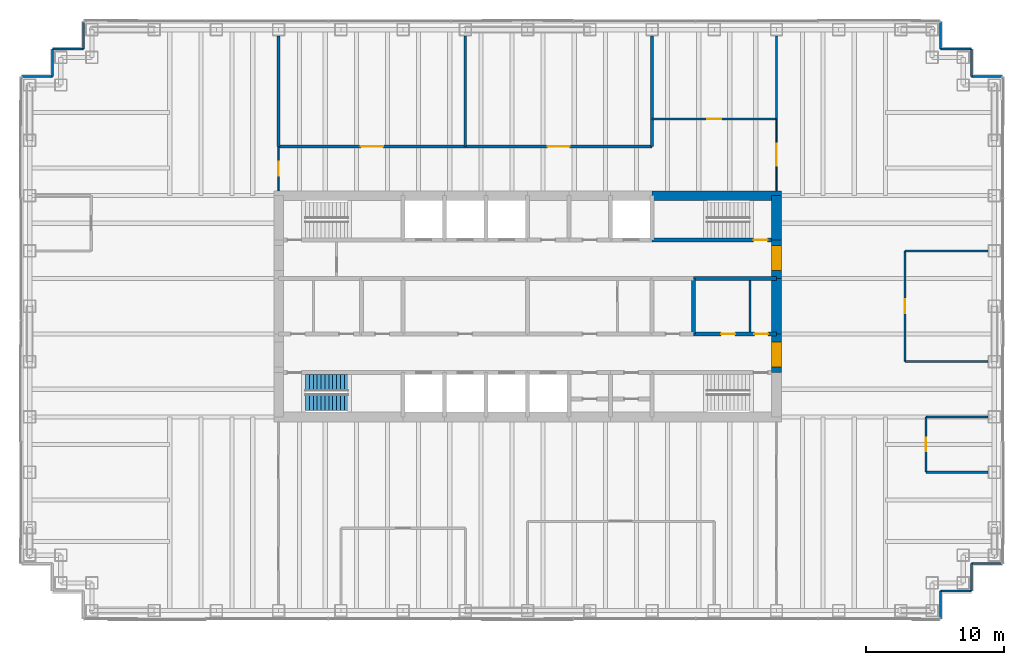
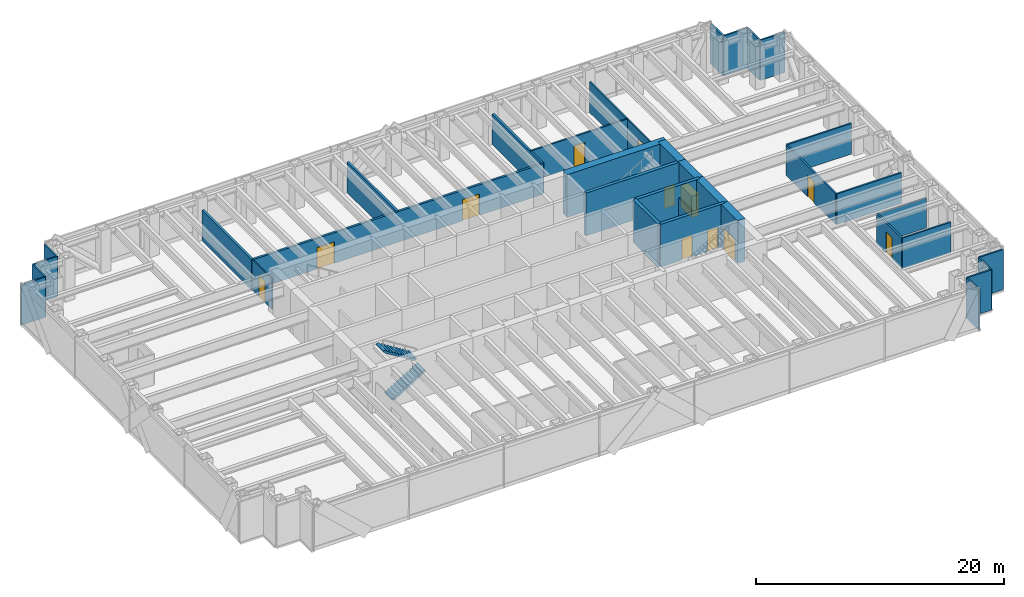
# One storey, part 13 of 15: 36 walls, 12 doors, 2 stair flights, 12 openings, 1 element without a shape of its own.
"""IFC4 building model written with IfcOpenShell, lengths in metres."""

from ifc_helpers import new_model, si_unit, direction, frame, frame_2d, origin, place, context, subcontext, project, spatial, polyline, rectangle, outline, extrude, material, layer, layer_set, type_object, element, fill, aggregate, save


model = new_model("IFC4")

# Units and contexts
model_context = context("Model", 3, precision=1e-05, world=origin(), true_north=direction((0.0, 1.0)))
body_context = subcontext(model_context, "Body", "Model", "MODEL_VIEW")
ifc_project = project(units=[si_unit("LENGTHUNIT", "METRE"), si_unit("AREAUNIT", "SQUARE_METRE"), si_unit("VOLUMEUNIT", "CUBIC_METRE"), si_unit("PLANEANGLEUNIT", "RADIAN"), si_unit("MASSUNIT", "GRAM", prefix="KILO")], contexts=[model_context])

# Site, building, storey
site_placement = place(None, origin())
site = spatial("IfcSite", under=ifc_project, at=site_placement, CompositionType="ELEMENT")
building_placement = place(site_placement, origin())
building = spatial("IfcBuilding", under=site, at=building_placement, Name="Rheinbord Bourse Tower", CompositionType="ELEMENT")
storey_placement = place(building_placement, frame((0.0, 0.0, 329.89990234375)))
storey = spatial("IfcBuildingStorey", under=building, at=storey_placement, Name="L75", CompositionType="ELEMENT", Elevation=329.89990234375)

# Wall, openings, doors
ifc_material_1 = material(Name="Acoustic gypsum board partition", Category="gypsum board")
ifc_layer_1 = layer(ifc_material_1, 0.199951171875)
ifc_layer_set_1 = layer_set([ifc_layer_1], Name="ACOUSTIC PARTITION 200")
wall_type_1 = type_object("IfcWallType", Name="ACOUSTIC PARTITION 200", PredefinedType="PARTITIONING", material=ifc_layer_set_1)
wall_1_placement = place(storey_placement, frame((18.0, 35.550048828125, 0.0), z_axis=(0.0, 0.0, 1.0), x_axis=(1.0, 0.0, 0.0)))
wall_1 = element("IfcWall", 1, at=wall_1_placement, inside=storey, type_object=wall_type_1, Name="Partition L75-09", PredefinedType="PARTITIONING", context=body_context, shape_type="SweptSolid", body=[
    extrude(rectangle(XDim=27.0, YDim=0.199951171875, at=frame_2d((13.5, 0.0))), origin(), (0.0, 0.0, 1.0), 3.0),
])
opening_1_placement = place(wall_1_placement, frame((5.949951171875, 0.0, 0.0)))
opening_1 = element("IfcOpeningElement", 2, at=opening_1_placement, cuts=wall_1, Name="Opening 75D06", PredefinedType="OPENING", context=body_context, shape_type="SweptSolid", body=[
    extrude(rectangle(XDim=1.60009765625, YDim=2.10009765625, at=frame_2d((0.800048828125, 1.050048828125))), frame((0.0, 0.10986328125, 0.0), z_axis=(0.0, -1.0, 0.0), x_axis=(1.0, 0.0, 0.0)), (0.0, 0.0, 1.0), 0.219970703125),
])
opening_2_placement = place(wall_1_placement, frame((19.449951171875, 0.0, 0.0)))
opening_2 = element("IfcOpeningElement", 3, at=opening_2_placement, cuts=wall_1, Name="Opening 75D07", PredefinedType="OPENING", context=body_context, shape_type="SweptSolid", body=[
    extrude(rectangle(XDim=1.60009765625, YDim=2.10009765625, at=frame_2d((0.800048828125, 1.050048828125))), frame((0.0, 0.10986328125, 0.0), z_axis=(0.0, -1.0, 0.0), x_axis=(1.0, 0.0, 0.0)), (0.0, 0.0, 1.0), 0.219970703125),
])
ifc_material_2 = material(Name="Timber door", Category="wood")
door_type_1 = type_object("IfcDoorType", Name="DOUBLE ROOM DOOR 1600", OperationType="DOUBLE_DOOR_DOUBLE_SWING", PredefinedType="DOOR", material=ifc_material_2)
door_1_placement = place(opening_1_placement, origin())
door_1 = element("IfcDoor", 4, at=door_1_placement, inside=storey, type_object=door_type_1, Name="Board room door L75", OperationType="SINGLE_SWING_LEFT", OverallHeight=2.10009765625, OverallWidth=1.60009765625, PredefinedType="DOOR", context=body_context, shape_type="SweptSolid", body=[
    extrude(rectangle(XDim=1.60009765625, YDim=2.10009765625, at=frame_2d((0.800048828125, 1.050048828125))), frame((0.0, 0.02490234375, 0.0), z_axis=(0.0, -1.0, 0.0), x_axis=(1.0, 0.0, 0.0)), (0.0, 0.0, 1.0), 0.050048828125),
])
fill(opening_1, door_1)
door_2_placement = place(opening_2_placement, origin())
door_2 = element("IfcDoor", 5, at=door_2_placement, inside=storey, type_object=door_type_1, Name="Members dining room door L75", OperationType="SINGLE_SWING_LEFT", OverallHeight=2.10009765625, OverallWidth=1.60009765625, PredefinedType="DOOR", context=body_context, shape_type="SweptSolid", body=[
    extrude(rectangle(XDim=1.60009765625, YDim=2.10009765625, at=frame_2d((0.800048828125, 1.050048828125))), frame((0.0, 0.02490234375, 0.0), z_axis=(0.0, -1.0, 0.0), x_axis=(1.0, 0.0, 0.0)), (0.0, 0.0, 1.0), 0.050048828125),
])
fill(opening_2, door_2)

# Walls
for number, where, z_axis, x_axis, name in (
    (6, (18.0, 35.550048828125, 0.0), (0.0, 0.0, 1.0), (0.0, 1.0, 0.0), "Partition L75-14"),
    (7, (31.5, 35.550048828125, 0.0), (0.0, 0.0, 1.0), (0.0, 1.0, 0.0), "Partition L75-17"),
    (8, (45.0, 35.550048828125, 0.0), (0.0, 0.0, 1.0), (0.0, 1.0, 0.0), "Partition L75-19"),
):
    element("IfcWall", number, at=place(storey_placement, frame(where, z_axis=z_axis, x_axis=x_axis)), inside=storey, type_object=wall_type_1, Name=name, PredefinedType="PARTITIONING", context=body_context, shape_type="SweptSolid", body=[
        extrude(rectangle(XDim=8.0, YDim=0.199951171875, at=frame_2d((4.0, 0.0))), origin(), (0.0, 0.0, 1.0), 3.0),
    ])

# Wall, opening, door
ifc_material_3 = material(Name="Concrete C50/60", Category="concrete")
ifc_layer_2 = layer(ifc_material_3, 0.300048828125)
ifc_layer_set_2 = layer_set([ifc_layer_2], Name="CORE INNER WALL 300")
wall_type_2 = type_object("IfcWallType", Name="CORE INNER WALL 300", PredefinedType="SOLIDWALL", material=ifc_layer_set_2)
wall_2_placement = place(storey_placement, frame((45.0, 28.800048828125, 0.0), z_axis=(0.0, 0.0, 1.0), x_axis=(1.0, 0.0, 0.0)))
wall_2 = element("IfcWall", 9, at=wall_2_placement, inside=storey, type_object=wall_type_2, Name="Core wall B8 L75", PredefinedType="SOLIDWALL", context=body_context, shape_type="SweptSolid", body=[
    extrude(rectangle(XDim=9.0, YDim=0.300048828125, at=frame_2d((4.5, 0.0))), origin(), (0.0, 0.0, 1.0), 4.2001953125),
])
opening_3_placement = place(wall_2_placement, frame((7.35009765625, 0.0, 0.0)))
opening_3 = element("IfcOpeningElement", 10, at=opening_3_placement, cuts=wall_2, Name="Opening 7540", PredefinedType="OPENING", context=body_context, shape_type="SweptSolid", body=[
    extrude(rectangle(XDim=1.0, YDim=2.10009765625, at=frame_2d((0.5, 1.050048828125))), frame((0.0, 0.159912109375, 0.0), z_axis=(0.0, -1.0, 0.0), x_axis=(1.0, 0.0, 0.0)), (0.0, 0.0, 1.0), 0.320068359375),
])
ifc_material_4 = material(Name="Steel door", Category="steel")
door_type_2 = type_object("IfcDoorType", Name="DOOR 1000 EI30", OperationType="SINGLE_SWING_LEFT", PredefinedType="DOOR", material=ifc_material_4)
door_3_placement = place(opening_3_placement, origin())
door_3 = element("IfcDoor", 11, at=door_3_placement, inside=storey, type_object=door_type_2, Name="Stair door ST4 L75", OperationType="SINGLE_SWING_RIGHT", OverallHeight=2.10009765625, OverallWidth=1.0, PredefinedType="DOOR", context=body_context, shape_type="SweptSolid", body=[
    extrude(rectangle(XDim=1.0, YDim=2.10009765625, at=frame_2d((0.5, 1.050048828125))), frame((0.0, 0.02490234375, 0.0), z_axis=(0.0, -1.0, 0.0), x_axis=(1.0, 0.0, 0.0)), (0.0, 0.0, 1.0), 0.050048828125),
])
fill(opening_3, door_3)

# Wall, openings, doors
wall_3_placement = place(storey_placement, frame((48.0, 22.0, 0.0), z_axis=(0.0, 0.0, 1.0), x_axis=(1.0, 0.0, 0.0)))
wall_3 = element("IfcWall", 12, at=wall_3_placement, inside=storey, type_object=wall_type_2, Name="Core wall C6 L75", PredefinedType="SOLIDWALL", context=body_context, shape_type="SweptSolid", body=[
    extrude(rectangle(XDim=6.0, YDim=0.300048828125, at=frame_2d((3.0, 0.0))), origin(), (0.0, 0.0, 1.0), 4.2001953125),
])
opening_4_placement = place(wall_3_placement, frame((2.0, 0.0, 0.0)))
opening_4 = element("IfcOpeningElement", 13, at=opening_4_placement, cuts=wall_3, Name="Opening 75R6", PredefinedType="OPENING", context=body_context, shape_type="SweptSolid", body=[
    extrude(rectangle(XDim=1.0, YDim=2.10009765625, at=frame_2d((0.5, 1.050048828125))), frame((0.0, 0.159912109375, 0.0), z_axis=(0.0, -1.0, 0.0), x_axis=(1.0, 0.0, 0.0)), (0.0, 0.0, 1.0), 0.320068359375),
])
opening_5_placement = place(wall_3_placement, frame((4.39990234375, 0.0, 0.0)))
opening_5 = element("IfcOpeningElement", 14, at=opening_5_placement, cuts=wall_3, Name="Opening 75R10", PredefinedType="OPENING", context=body_context, shape_type="SweptSolid", body=[
    extrude(rectangle(XDim=1.0, YDim=2.10009765625, at=frame_2d((0.5, 1.050048828125))), frame((0.0, 0.159912109375, 0.0), z_axis=(0.0, -1.0, 0.0), x_axis=(1.0, 0.0, 0.0)), (0.0, 0.0, 1.0), 0.320068359375),
])
door_4_placement = place(opening_5_placement, origin())
door_4 = element("IfcDoor", 15, at=door_4_placement, inside=storey, type_object=door_type_2, Name="Cleaner's store door L75", OperationType="SINGLE_SWING_RIGHT", OverallHeight=2.10009765625, OverallWidth=1.0, PredefinedType="DOOR", context=body_context, shape_type="SweptSolid", body=[
    extrude(rectangle(XDim=1.0, YDim=2.10009765625, at=frame_2d((0.5, 1.050048828125))), frame((0.0, 0.02490234375, 0.0), z_axis=(0.0, -1.0, 0.0), x_axis=(1.0, 0.0, 0.0)), (0.0, 0.0, 1.0), 0.050048828125),
])
fill(opening_5, door_4)
ifc_material_5 = material(Name="Timber door", Category="wood")
door_type_3 = type_object("IfcDoorType", Name="DOOR 1000 WC", OperationType="SINGLE_SWING_LEFT", PredefinedType="DOOR", material=ifc_material_5)
door_5_placement = place(opening_4_placement, origin())
door_5 = element("IfcDoor", 16, at=door_5_placement, inside=storey, type_object=door_type_3, Name="WC women door L75", OperationType="SINGLE_SWING_LEFT", OverallHeight=2.10009765625, OverallWidth=1.0, PredefinedType="DOOR", context=body_context, shape_type="SweptSolid", body=[
    extrude(rectangle(XDim=1.0, YDim=2.10009765625, at=frame_2d((0.5, 1.050048828125))), frame((0.0, 0.02490234375, 0.0), z_axis=(0.0, -1.0, 0.0), x_axis=(1.0, 0.0, 0.0)), (0.0, 0.0, 1.0), 0.050048828125),
])
fill(opening_4, door_5)

# Walls
wall_4_placement = place(storey_placement, frame((48.0, 26.0, 0.0), z_axis=(0.0, 0.0, 1.0), x_axis=(1.0, 0.0, 0.0)))
element("IfcWall", 17, at=wall_4_placement, inside=storey, type_object=wall_type_2, Name="Core wall D6 L75", PredefinedType="SOLIDWALL", context=body_context, shape_type="SweptSolid", body=[
    extrude(rectangle(XDim=6.0, YDim=0.300048828125, at=frame_2d((3.0, 0.0))), origin(), (0.0, 0.0, 1.0), 4.2001953125),
])
wall_5_placement = place(storey_placement, frame((48.0, 22.0, 0.0), z_axis=(0.0, 0.0, 1.0), x_axis=(0.0, 1.0, 0.0)))
element("IfcWall", 18, at=wall_5_placement, inside=storey, type_object=wall_type_2, Name="Core wall MX48 L75", PredefinedType="SOLIDWALL", context=body_context, shape_type="SweptSolid", body=[
    extrude(rectangle(XDim=4.0, YDim=0.300048828125, at=frame_2d((2.0, 0.0))), origin(), (0.0, 0.0, 1.0), 4.2001953125),
])
ifc_material_6 = material(Name="Gypsum board fire partition", Category="gypsum board")
ifc_layer_3 = layer(ifc_material_6, 0.14990234375)
ifc_layer_set_3 = layer_set([ifc_layer_3], Name="CORE PARTITION 150 EI30")
wall_type_3 = type_object("IfcWallType", Name="CORE PARTITION 150 EI30", PredefinedType="PARTITIONING", material=ifc_layer_set_3)
wall_6_placement = place(storey_placement, frame((52.074951171875, 22.14990234375, 0.0), z_axis=(0.0, 0.0, 1.0), x_axis=(0.0, 1.0, 0.0)))
element("IfcWall", 19, at=wall_6_placement, inside=storey, type_object=wall_type_3, Name="Core partition L75-3", PredefinedType="PARTITIONING", context=body_context, shape_type="SweptSolid", body=[
    extrude(rectangle(XDim=3.7001953125, YDim=0.14990234375, at=frame_2d((1.85009765625, 0.0))), origin(), (0.0, 0.0, 1.0), 3.0),
])
ifc_material_7 = material(Name="Concrete C50/60", Category="concrete")
ifc_layer_4 = layer(ifc_material_7, 0.699951171875)
ifc_layer_set_4 = layer_set([ifc_layer_4], Name="CORE WALL 700")
wall_type_4 = type_object("IfcWallType", Name="CORE WALL 700", PredefinedType="SHEAR", material=ifc_layer_set_4)
wall_7_placement = place(storey_placement, frame((54.35009765625, 32.0, 0.0), z_axis=(0.0, 0.0, 1.0), x_axis=(-1.0, 0.0, 0.0)))
element("IfcWall", 20, at=wall_7_placement, inside=storey, type_object=wall_type_4, Name="Core wall N1 L75", PredefinedType="SHEAR", context=body_context, shape_type="SweptSolid", body=[
    extrude(rectangle(XDim=9.35009765625, YDim=0.699951171875, at=frame_2d((4.675048828125, 0.0))), origin(), (0.0, 0.0, 1.0), 4.2001953125),
])

# Wall, opening, door
wall_8_placement = place(storey_placement, frame((54.0, 19.199951171875, 0.0), z_axis=(0.0, 0.0, 1.0), x_axis=(0.0, 1.0, 0.0)))
wall_8 = element("IfcWall", 21, at=wall_8_placement, inside=storey, type_object=wall_type_4, Name="Core wall E2 L75", PredefinedType="SHEAR", context=body_context, shape_type="SweptSolid", body=[
    extrude(rectangle(XDim=2.800048828125, YDim=0.699951171875, at=frame_2d((1.39990234375, 0.0))), origin(), (0.0, 0.0, 1.0), 4.2001953125),
])
opening_6_placement = place(wall_8_placement, frame((0.39990234375, 0.0, 0.0)))
opening_6 = element("IfcOpeningElement", 22, at=opening_6_placement, cuts=wall_8, Name="Opening 75L3", PredefinedType="OPENING", context=body_context, shape_type="SweptSolid", body=[
    extrude(rectangle(XDim=1.800048828125, YDim=2.10009765625, at=frame_2d((0.89990234375, 1.050048828125))), frame((0.0, 0.35986328125, 0.0), z_axis=(0.0, -1.0, 0.0), x_axis=(1.0, 0.0, 0.0)), (0.0, 0.0, 1.0), 0.719970703125),
])
ifc_material_8 = material(Name="Steel door", Category="steel")
door_type_4 = type_object("IfcDoorType", Name="DOOR 1800 EI30 DOUBLE", OperationType="DOUBLE_DOOR_DOUBLE_SWING", PredefinedType="DOOR", material=ifc_material_8)
door_6_placement = place(opening_6_placement, origin())
door_6 = element("IfcDoor", 23, at=door_6_placement, inside=storey, type_object=door_type_4, Name="Lobby door 3 L75", OperationType="SINGLE_SWING_LEFT", OverallHeight=2.10009765625, OverallWidth=1.800048828125, PredefinedType="DOOR", context=body_context, shape_type="SweptSolid", body=[
    extrude(rectangle(XDim=1.800048828125, YDim=2.10009765625, at=frame_2d((0.89990234375, 1.050048828125))), frame((0.0, 0.349609375, 0.0), z_axis=(0.0, -1.0, 0.0), x_axis=(1.0, 0.0, 0.0)), (0.0, 0.0, 1.0), 0.699462890625),
])
fill(opening_6, door_6)

# Wall
wall_9_placement = place(storey_placement, frame((54.0, 22.0, 0.0), z_axis=(0.0, 0.0, 1.0), x_axis=(0.0, 1.0, 0.0)))
element("IfcWall", 24, at=wall_9_placement, inside=storey, type_object=wall_type_4, Name="Core wall E3 L75", PredefinedType="SHEAR", context=body_context, shape_type="SweptSolid", body=[
    extrude(rectangle(XDim=4.0, YDim=0.699951171875, at=frame_2d((2.0, 0.0))), origin(), (0.0, 0.0, 1.0), 4.2001953125),
])

# Wall, opening, door
wall_10_placement = place(storey_placement, frame((54.0, 26.0, 0.0), z_axis=(0.0, 0.0, 1.0), x_axis=(0.0, 1.0, 0.0)))
wall_10 = element("IfcWall", 25, at=wall_10_placement, inside=storey, type_object=wall_type_4, Name="Core wall E4 L75", PredefinedType="SHEAR", context=body_context, shape_type="SweptSolid", body=[
    extrude(rectangle(XDim=2.800048828125, YDim=0.699951171875, at=frame_2d((1.39990234375, 0.0))), origin(), (0.0, 0.0, 1.0), 4.2001953125),
])
opening_7_placement = place(wall_10_placement, frame((0.60009765625, 0.0, 0.0)))
opening_7 = element("IfcOpeningElement", 26, at=opening_7_placement, cuts=wall_10, Name="Opening 75L4", PredefinedType="OPENING", context=body_context, shape_type="SweptSolid", body=[
    extrude(rectangle(XDim=1.800048828125, YDim=2.10009765625, at=frame_2d((0.89990234375, 1.050048828125))), frame((0.0, 0.35986328125, 0.0), z_axis=(0.0, -1.0, 0.0), x_axis=(1.0, 0.0, 0.0)), (0.0, 0.0, 1.0), 0.719970703125),
])
door_7_placement = place(opening_7_placement, origin())
door_7 = element("IfcDoor", 27, at=door_7_placement, inside=storey, type_object=door_type_4, Name="Lobby door 4 L75", OperationType="SINGLE_SWING_LEFT", OverallHeight=2.10009765625, OverallWidth=1.800048828125, PredefinedType="DOOR", context=body_context, shape_type="SweptSolid", body=[
    extrude(rectangle(XDim=1.800048828125, YDim=2.10009765625, at=frame_2d((0.89990234375, 1.050048828125))), frame((0.0, 0.349609375, 0.0), z_axis=(0.0, -1.0, 0.0), x_axis=(1.0, 0.0, 0.0)), (0.0, 0.0, 1.0), 0.699462890625),
])
fill(opening_7, door_7)

# Walls
wall_11_placement = place(storey_placement, frame((54.0, 28.800048828125, 0.0), z_axis=(0.0, 0.0, 1.0), x_axis=(0.0, 1.0, 0.0)))
element("IfcWall", 28, at=wall_11_placement, inside=storey, type_object=wall_type_4, Name="Core wall E5 L75", PredefinedType="SHEAR", context=body_context, shape_type="SweptSolid", body=[
    extrude(rectangle(XDim=3.199951171875, YDim=0.699951171875, at=frame_2d((1.60009765625, 0.0))), origin(), (0.0, 0.0, 1.0), 4.2001953125),
])
ifc_material_9 = material(Name="Black metal rainscreen panel", Category="aluminium")
ifc_layer_5 = layer(ifc_material_9, 0.14990234375)
ifc_layer_set_5 = layer_set([ifc_layer_5], Name="CORNER PIER CLADDING 150")
wall_type_5 = type_object("IfcWallType", Name="CORNER PIER CLADDING 150", PredefinedType="ELEMENTEDWALL", material=ifc_layer_set_5)
wall_12_placement = place(storey_placement, frame((65.85009765625, 1.39990234375, 0.0), z_axis=(0.0, 0.0, 1.0), x_axis=(0.0, 1.0, 0.0)))
element("IfcWall", 29, at=wall_12_placement, inside=storey, type_object=wall_type_5, Name="Corner pier cladding L75 2", PredefinedType="ELEMENTEDWALL", context=body_context, shape_type="SweptSolid", body=[
    extrude(rectangle(XDim=2.0, YDim=0.14990234375, at=frame_2d((1.0, 0.0))), origin(), (0.0, 0.0, 1.0), 3.9501953125),
])
wall_13_placement = place(storey_placement, frame((65.85009765625, 3.39990234375, 0.0), z_axis=(0.0, 0.0, 1.0), x_axis=(1.0, 0.0, 0.0)))
element("IfcWall", 30, at=wall_13_placement, inside=storey, type_object=wall_type_5, Name="Corner pier cladding L75 3", PredefinedType="ELEMENTEDWALL", context=body_context, shape_type="SweptSolid", body=[
    extrude(rectangle(XDim=2.25, YDim=0.14990234375, at=frame_2d((1.125, 0.0))), origin(), (0.0, 0.0, 1.0), 3.9501953125),
])
wall_14_placement = place(storey_placement, frame((68.10009765625, 3.39990234375, 0.0), z_axis=(0.0, 0.0, 1.0), x_axis=(0.0, 1.0, 0.0)))
element("IfcWall", 31, at=wall_14_placement, inside=storey, type_object=wall_type_5, Name="Corner pier cladding L75 4", PredefinedType="ELEMENTEDWALL", context=body_context, shape_type="SweptSolid", body=[
    extrude(rectangle(XDim=2.0, YDim=0.14990234375, at=frame_2d((1.0, 0.0))), origin(), (0.0, 0.0, 1.0), 3.9501953125),
])
for number, where, z_axis, x_axis, name in (
    (32, (68.10009765625, 5.39990234375, 0.0), (0.0, 0.0, 1.0), (1.0, 0.0, 0.0), "Corner pier cladding L75 5"),
    (33, (70.35009765625, 40.60009765625, 0.0), (0.0, 0.0, 1.0), (-1.0, 0.0, 0.0), "Corner pier cladding L75 7"),
):
    element("IfcWall", number, at=place(storey_placement, frame(where, z_axis=z_axis, x_axis=x_axis)), inside=storey, type_object=wall_type_5, Name=name, PredefinedType="ELEMENTEDWALL", context=body_context, shape_type="SweptSolid", body=[
        extrude(rectangle(XDim=2.25, YDim=0.14990234375, at=frame_2d((1.125, 0.0))), origin(), (0.0, 0.0, 1.0), 3.9501953125),
    ])
wall_15_placement = place(storey_placement, frame((68.10009765625, 40.60009765625, 0.0), z_axis=(0.0, 0.0, 1.0), x_axis=(0.0, 1.0, 0.0)))
element("IfcWall", 34, at=wall_15_placement, inside=storey, type_object=wall_type_5, Name="Corner pier cladding L75 8", PredefinedType="ELEMENTEDWALL", context=body_context, shape_type="SweptSolid", body=[
    extrude(rectangle(XDim=2.0, YDim=0.14990234375, at=frame_2d((1.0, 0.0))), origin(), (0.0, 0.0, 1.0), 3.9501953125),
])
wall_16_placement = place(storey_placement, frame((68.10009765625, 42.60009765625, 0.0), z_axis=(0.0, 0.0, 1.0), x_axis=(-1.0, 0.0, 0.0)))
element("IfcWall", 35, at=wall_16_placement, inside=storey, type_object=wall_type_5, Name="Corner pier cladding L75 9", PredefinedType="ELEMENTEDWALL", context=body_context, shape_type="SweptSolid", body=[
    extrude(rectangle(XDim=2.25, YDim=0.14990234375, at=frame_2d((1.125, 0.0))), origin(), (0.0, 0.0, 1.0), 3.9501953125),
])
for number, where, z_axis, x_axis, name in (
    (36, (65.85009765625, 42.60009765625, 0.0), (0.0, 0.0, 1.0), (0.0, 1.0, 0.0), "Corner pier cladding L75 10"),
    (37, (3.89990234375, 44.60009765625, 0.0), (0.0, 0.0, 1.0), (0.0, -1.0, 0.0), "Corner pier cladding L75 12"),
):
    element("IfcWall", number, at=place(storey_placement, frame(where, z_axis=z_axis, x_axis=x_axis)), inside=storey, type_object=wall_type_5, Name=name, PredefinedType="ELEMENTEDWALL", context=body_context, shape_type="SweptSolid", body=[
        extrude(rectangle(XDim=2.0, YDim=0.14990234375, at=frame_2d((1.0, 0.0))), origin(), (0.0, 0.0, 1.0), 3.9501953125),
    ])
wall_17_placement = place(storey_placement, frame((3.89990234375, 42.60009765625, 0.0), z_axis=(0.0, 0.0, 1.0), x_axis=(-1.0, 0.0, 0.0)))
element("IfcWall", 38, at=wall_17_placement, inside=storey, type_object=wall_type_5, Name="Corner pier cladding L75 13", PredefinedType="ELEMENTEDWALL", context=body_context, shape_type="SweptSolid", body=[
    extrude(rectangle(XDim=2.25, YDim=0.14990234375, at=frame_2d((1.125, 0.0))), origin(), (0.0, 0.0, 1.0), 3.9501953125),
])
wall_18_placement = place(storey_placement, frame((1.64990234375, 42.60009765625, 0.0), z_axis=(0.0, 0.0, 1.0), x_axis=(0.0, -1.0, 0.0)))
element("IfcWall", 39, at=wall_18_placement, inside=storey, type_object=wall_type_5, Name="Corner pier cladding L75 14", PredefinedType="ELEMENTEDWALL", context=body_context, shape_type="SweptSolid", body=[
    extrude(rectangle(XDim=2.0, YDim=0.14990234375, at=frame_2d((1.0, 0.0))), origin(), (0.0, 0.0, 1.0), 3.9501953125),
])
wall_19_placement = place(storey_placement, frame((1.64990234375, 40.60009765625, 0.0), z_axis=(0.0, 0.0, 1.0), x_axis=(-1.0, 0.0, 0.0)))
element("IfcWall", 40, at=wall_19_placement, inside=storey, type_object=wall_type_5, Name="Corner pier cladding L75 15", PredefinedType="ELEMENTEDWALL", context=body_context, shape_type="SweptSolid", body=[
    extrude(rectangle(XDim=2.25, YDim=0.14990234375, at=frame_2d((1.125, 0.0))), origin(), (0.0, 0.0, 1.0), 3.9501953125),
])

# Wall, opening, door
ifc_material_10 = material(Name="Toughened laminated glass partition", Category="glass")
ifc_layer_6 = layer(ifc_material_10, 0.10009765625)
ifc_layer_set_6 = layer_set([ifc_layer_6], Name="GLAZED PARTITION 100")
wall_type_6 = type_object("IfcWallType", Name="GLAZED PARTITION 100", PredefinedType="PARTITIONING", material=ifc_layer_set_6)
wall_20_placement = place(storey_placement, frame((18.0, 32.35009765625, 0.0), z_axis=(0.0, 0.0, 1.0), x_axis=(0.0, 1.0, 0.0)))
wall_20 = element("IfcWall", 41, at=wall_20_placement, inside=storey, type_object=wall_type_6, Name="Partition L75-13", PredefinedType="PARTITIONING", context=body_context, shape_type="SweptSolid", body=[
    extrude(rectangle(XDim=3.199951171875, YDim=0.10009765625, at=frame_2d((1.60009765625, 0.0))), origin(), (0.0, 0.0, 1.0), 3.0),
])
opening_8_placement = place(wall_20_placement, frame((1.10009765625, 0.0, 0.0)))
opening_8 = element("IfcOpeningElement", 42, at=opening_8_placement, cuts=wall_20, Name="Opening 75D11", PredefinedType="OPENING", context=body_context, shape_type="SweptSolid", body=[
    extrude(rectangle(XDim=1.0, YDim=2.10009765625, at=frame_2d((0.5, 1.050048828125))), frame((0.0, 0.06005859375, 0.0), z_axis=(0.0, -1.0, 0.0), x_axis=(1.0, 0.0, 0.0)), (0.0, 0.0, 1.0), 0.1201171875),
])
ifc_material_11 = material(Name="Timber door", Category="wood")
door_type_5 = type_object("IfcDoorType", Name="ROOM DOOR 1000", OperationType="SINGLE_SWING_LEFT", PredefinedType="DOOR", material=ifc_material_11)
door_8_placement = place(opening_8_placement, origin())
door_8 = element("IfcDoor", 43, at=door_8_placement, inside=storey, type_object=door_type_5, Name="Open area door L75", OperationType="SINGLE_SWING_RIGHT", OverallHeight=2.10009765625, OverallWidth=1.0, PredefinedType="DOOR", context=body_context, shape_type="SweptSolid", body=[
    extrude(rectangle(XDim=1.0, YDim=2.10009765625, at=frame_2d((0.5, 1.050048828125))), frame((0.0, 0.02490234375, 0.0), z_axis=(0.0, -1.0, 0.0), x_axis=(1.0, 0.0, 0.0)), (0.0, 0.0, 1.0), 0.050048828125),
])
fill(opening_8, door_8)

wall_21_placement = place(storey_placement, frame((54.0, 32.35009765625, 0.0), z_axis=(0.0, 0.0, 1.0), x_axis=(0.0, 1.0, 0.0)))
wall_21 = element("IfcWall", 44, at=wall_21_placement, inside=storey, type_object=wall_type_6, Name="Partition L75-22", PredefinedType="PARTITIONING", context=body_context, shape_type="SweptSolid", body=[
    extrude(rectangle(XDim=5.199951171875, YDim=0.10009765625, at=frame_2d((2.60009765625, 0.0))), origin(), (0.0, 0.0, 1.0), 3.0),
])
opening_9_placement = place(wall_21_placement, frame((1.800048828125, 0.0, 0.0)))
opening_9 = element("IfcOpeningElement", 45, at=opening_9_placement, cuts=wall_21, Name="Opening 75D14", PredefinedType="OPENING", context=body_context, shape_type="SweptSolid", body=[
    extrude(rectangle(XDim=1.60009765625, YDim=2.10009765625, at=frame_2d((0.800048828125, 1.050048828125))), frame((0.0, 0.06005859375, 0.0), z_axis=(0.0, -1.0, 0.0), x_axis=(1.0, 0.0, 0.0)), (0.0, 0.0, 1.0), 0.1201171875),
])
door_9_placement = place(opening_9_placement, origin())
door_9 = element("IfcDoor", 46, at=door_9_placement, inside=storey, type_object=door_type_1, Name="Open area door L75", OperationType="SINGLE_SWING_LEFT", OverallHeight=2.10009765625, OverallWidth=1.60009765625, PredefinedType="DOOR", context=body_context, shape_type="SweptSolid", body=[
    extrude(rectangle(XDim=1.60009765625, YDim=2.10009765625, at=frame_2d((0.800048828125, 1.050048828125))), frame((0.0, 0.02490234375, 0.0), z_axis=(0.0, -1.0, 0.0), x_axis=(1.0, 0.0, 0.0)), (0.0, 0.0, 1.0), 0.050048828125),
])
fill(opening_9, door_9)

# Walls
ifc_material_12 = material(Name="Gypsum board partition", Category="gypsum board")
ifc_layer_7 = layer(ifc_material_12, 0.14990234375)
ifc_layer_set_7 = layer_set([ifc_layer_7], Name="PARTITION 150")
wall_type_7 = type_object("IfcWallType", Name="PARTITION 150", PredefinedType="PARTITIONING", material=ifc_layer_set_7)
wall_22_placement = place(storey_placement, frame((64.800048828125, 12.0, 0.0), z_axis=(0.0, 0.0, 1.0), x_axis=(1.0, 0.0, 0.0)))
element("IfcWall", 47, at=wall_22_placement, inside=storey, type_object=wall_type_7, Name="Partition L75-03", PredefinedType="PARTITIONING", context=body_context, shape_type="SweptSolid", body=[
    extrude(rectangle(XDim=4.5, YDim=0.14990234375, at=frame_2d((2.25, 0.0))), origin(), (0.0, 0.0, 1.0), 3.0),
])
wall_23_placement = place(storey_placement, frame((64.800048828125, 16.0, 0.0), z_axis=(0.0, 0.0, 1.0), x_axis=(1.0, 0.0, 0.0)))
element("IfcWall", 48, at=wall_23_placement, inside=storey, type_object=wall_type_7, Name="Partition L75-04", PredefinedType="PARTITIONING", context=body_context, shape_type="SweptSolid", body=[
    extrude(rectangle(XDim=4.5, YDim=0.14990234375, at=frame_2d((2.25, 0.0))), origin(), (0.0, 0.0, 1.0), 2.942138671875),
])
for number, where, z_axis, x_axis, name in (
    (49, (63.300048828125, 20.0, 0.0), (0.0, 0.0, 1.0), (1.0, 0.0, 0.0), "Partition L75-05"),
    (50, (63.300048828125, 28.0, 0.0), (0.0, 0.0, 1.0), (1.0, 0.0, 0.0), "Partition L75-07"),
):
    element("IfcWall", number, at=place(storey_placement, frame(where, z_axis=z_axis, x_axis=x_axis)), inside=storey, type_object=wall_type_7, Name=name, PredefinedType="PARTITIONING", context=body_context, shape_type="SweptSolid", body=[
        extrude(rectangle(XDim=6.0, YDim=0.14990234375, at=frame_2d((3.0, 0.0))), origin(), (0.0, 0.0, 1.0), 3.0),
    ])

# Wall, opening, door
wall_24_placement = place(storey_placement, frame((45.0, 37.550048828125, 0.0), z_axis=(0.0, 0.0, 1.0), x_axis=(1.0, 0.0, 0.0)))
wall_24 = element("IfcWall", 51, at=wall_24_placement, inside=storey, type_object=wall_type_7, Name="Partition L75-10", PredefinedType="PARTITIONING", context=body_context, shape_type="SweptSolid", body=[
    extrude(rectangle(XDim=9.0, YDim=0.14990234375, at=frame_2d((4.5, 0.0))), origin(), (0.0, 0.0, 1.0), 3.0),
])
opening_10_placement = place(wall_24_placement, frame((4.0, 0.0, 0.0)))
opening_10 = element("IfcOpeningElement", 52, at=opening_10_placement, cuts=wall_24, Name="Opening 75D08", PredefinedType="OPENING", context=body_context, shape_type="SweptSolid", body=[
    extrude(rectangle(XDim=1.0, YDim=2.10009765625, at=frame_2d((0.5, 1.050048828125))), frame((0.0, 0.0849609375, 0.0), z_axis=(0.0, -1.0, 0.0), x_axis=(1.0, 0.0, 0.0)), (0.0, 0.0, 1.0), 0.169921875),
])
door_10_placement = place(opening_10_placement, origin())
door_10 = element("IfcDoor", 53, at=door_10_placement, inside=storey, type_object=door_type_5, Name="Wine room door L75", OperationType="SINGLE_SWING_LEFT", OverallHeight=2.10009765625, OverallWidth=1.0, PredefinedType="DOOR", context=body_context, shape_type="SweptSolid", body=[
    extrude(rectangle(XDim=1.0, YDim=2.10009765625, at=frame_2d((0.5, 1.050048828125))), frame((0.0, 0.02490234375, 0.0), z_axis=(0.0, -1.0, 0.0), x_axis=(1.0, 0.0, 0.0)), (0.0, 0.0, 1.0), 0.050048828125),
])
fill(opening_10, door_10)

# Wall
wall_25_placement = place(storey_placement, frame((54.0, 37.550048828125, 0.0), z_axis=(0.0, 0.0, 1.0), x_axis=(0.0, 1.0, 0.0)))
element("IfcWall", 54, at=wall_25_placement, inside=storey, type_object=wall_type_7, Name="Partition L75-23", PredefinedType="PARTITIONING", context=body_context, shape_type="SweptSolid", body=[
    extrude(rectangle(XDim=6.0, YDim=0.14990234375, at=frame_2d((3.0, 0.0))), origin(), (0.0, 0.0, 1.0), 3.0),
])

# Wall, opening, door
wall_26_placement = place(storey_placement, frame((63.300048828125, 20.0, 0.0), z_axis=(0.0, 0.0, 1.0), x_axis=(0.0, 1.0, 0.0)))
wall_26 = element("IfcWall", 55, at=wall_26_placement, inside=storey, type_object=wall_type_7, Name="Partition L75-24", PredefinedType="PARTITIONING", context=body_context, shape_type="SweptSolid", body=[
    extrude(rectangle(XDim=8.0, YDim=0.14990234375, at=frame_2d((4.0, 0.0))), origin(), (0.0, 0.0, 1.0), 3.0),
])
opening_11_placement = place(wall_26_placement, frame((3.5, 0.0, 0.0)))
opening_11 = element("IfcOpeningElement", 56, at=opening_11_placement, cuts=wall_26, Name="Opening 75D04", PredefinedType="OPENING", context=body_context, shape_type="SweptSolid", body=[
    extrude(rectangle(XDim=1.0, YDim=2.10009765625, at=frame_2d((0.5, 1.050048828125))), frame((0.0, 0.0849609375, 0.0), z_axis=(0.0, -1.0, 0.0), x_axis=(1.0, 0.0, 0.0)), (0.0, 0.0, 1.0), 0.169921875),
])
door_11_placement = place(opening_11_placement, origin())
door_11 = element("IfcDoor", 57, at=door_11_placement, inside=storey, type_object=door_type_5, Name="Members library door L75", OperationType="SINGLE_SWING_LEFT", OverallHeight=2.10009765625, OverallWidth=1.0, PredefinedType="DOOR", context=body_context, shape_type="SweptSolid", body=[
    extrude(rectangle(XDim=1.0, YDim=2.10009765625, at=frame_2d((0.5, 1.050048828125))), frame((0.0, 0.02490234375, 0.0), z_axis=(0.0, -1.0, 0.0), x_axis=(1.0, 0.0, 0.0)), (0.0, 0.0, 1.0), 0.050048828125),
])
fill(opening_11, door_11)

wall_27_placement = place(storey_placement, frame((64.800048828125, 12.0, 0.0), z_axis=(0.0, 0.0, 1.0), x_axis=(0.0, 1.0, 0.0)))
wall_27 = element("IfcWall", 58, at=wall_27_placement, inside=storey, type_object=wall_type_7, Name="Partition L75-25", PredefinedType="PARTITIONING", context=body_context, shape_type="SweptSolid", body=[
    extrude(rectangle(XDim=4.0, YDim=0.14990234375, at=frame_2d((2.0, 0.0))), origin(), (0.0, 0.0, 1.0), 3.0),
])
opening_12_placement = place(wall_27_placement, frame((1.5, 0.0, 0.0)))
opening_12 = element("IfcOpeningElement", 59, at=opening_12_placement, cuts=wall_27, Name="Opening 75D03", PredefinedType="OPENING", context=body_context, shape_type="SweptSolid", body=[
    extrude(rectangle(XDim=1.0, YDim=2.10009765625, at=frame_2d((0.5, 1.050048828125))), frame((0.0, 0.0849609375, 0.0), z_axis=(0.0, -1.0, 0.0), x_axis=(1.0, 0.0, 0.0)), (0.0, 0.0, 1.0), 0.169921875),
])
door_12_placement = place(opening_12_placement, origin())
door_12 = element("IfcDoor", 60, at=door_12_placement, inside=storey, type_object=door_type_5, Name="Board secretary office door L75", OperationType="SINGLE_SWING_LEFT", OverallHeight=2.10009765625, OverallWidth=1.0, PredefinedType="DOOR", context=body_context, shape_type="SweptSolid", body=[
    extrude(rectangle(XDim=1.0, YDim=2.10009765625, at=frame_2d((0.5, 1.050048828125))), frame((0.0, 0.02490234375, 0.0), z_axis=(0.0, -1.0, 0.0), x_axis=(1.0, 0.0, 0.0)), (0.0, 0.0, 1.0), 0.050048828125),
])
fill(opening_12, door_12)

# Stair, stair flights
ifc_material_13 = material(Name="Concrete C30/37", Category="concrete")
stair_type = type_object("IfcStairType", Name="CORE STAIR HALF TURN 4200", PredefinedType="HALF_TURN_STAIR", material=ifc_material_13)
stair_placement = place(storey_placement, origin())
stair = element("IfcStair", 61, at=stair_placement, inside=storey, type_object=stair_type, Name="Stair ST1 L75, type CS6", PredefinedType="HALF_TURN_STAIR")
ifc_material_14 = material(Name="Concrete C30/37", Category="concrete")
stair_flight_type = type_object("IfcStairFlightType", Name="CORE STAIR FLIGHT 1200, 12 RISERS", PredefinedType="STRAIGHT", material=ifc_material_14)
stair_flight_1_placement = place(storey_placement, frame((19.949951171875, 17.050048828125, 0.0), z_axis=(0.0, 0.0, 1.0), x_axis=(1.0, 0.0, 0.0)))
stair_flight_1 = element("IfcStairFlight", 62, at=stair_flight_1_placement, type_object=stair_flight_type, Name="STAIR L75 ST1 F1", NumberOfRisers=12, NumberOfTreads=11, PredefinedType="STRAIGHT", RiserHeight=0.175, TreadLength=0.28, context=body_context, shape_type="SweptSolid", body=[
    extrude(outline(polyline([(0.0, 0.0), (0.0, 0.175048828125), (0.280029296875, 0.175048828125), (0.280029296875, 0.35009765625), (0.56005859375, 0.35009765625), (0.56005859375, 0.52490234375), (0.840087890625, 0.52490234375), (0.840087890625, 0.699951171875), (1.1201171875, 0.699951171875), (1.1201171875, 0.875), (1.39990234375, 0.875), (1.39990234375, 1.050048828125), (1.679931640625, 1.050048828125), (1.679931640625, 1.22509765625), (1.9599609375, 1.22509765625), (1.9599609375, 1.39990234375), (2.239990234375, 1.39990234375), (2.239990234375, 1.574951171875), (2.52001953125, 1.574951171875), (2.52001953125, 1.75), (2.800048828125, 1.75), (2.800048828125, 1.925048828125), (3.080078125, 1.925048828125), (3.080078125, 2.10009765625), (3.080078125, 1.748291015625), (0.28271484375, 0.0), (0.0, 0.0)])), frame((0.0, 0.60009765625, 0.0), z_axis=(0.0, -1.0, 0.0), x_axis=(1.0, 0.0, 0.0)), (0.0, 0.0, 1.0), 1.199951171875),
])
stair_flight_2_placement = place(storey_placement, frame((23.030029296875, 18.449951171875, 2.10009765625), z_axis=(0.0, 0.0, 1.0), x_axis=(-1.0, 0.0, 0.0)))
stair_flight_2 = element("IfcStairFlight", 63, at=stair_flight_2_placement, type_object=stair_flight_type, Name="STAIR L75 ST1 F2", NumberOfRisers=12, NumberOfTreads=11, PredefinedType="STRAIGHT", RiserHeight=0.175, TreadLength=0.28, context=body_context, shape_type="SweptSolid", body=[
    extrude(outline(polyline([(0.0, 0.0), (0.0, 0.175048828125), (0.280029296875, 0.175048828125), (0.280029296875, 0.35009765625), (0.56005859375, 0.35009765625), (0.56005859375, 0.52490234375), (0.840087890625, 0.52490234375), (0.840087890625, 0.699951171875), (1.1201171875, 0.699951171875), (1.1201171875, 0.875), (1.39990234375, 0.875), (1.39990234375, 1.050048828125), (1.679931640625, 1.050048828125), (1.679931640625, 1.22509765625), (1.9599609375, 1.22509765625), (1.9599609375, 1.39990234375), (2.239990234375, 1.39990234375), (2.239990234375, 1.574951171875), (2.52001953125, 1.574951171875), (2.52001953125, 1.75), (2.800048828125, 1.75), (2.800048828125, 1.925048828125), (3.080078125, 1.925048828125), (3.080078125, 2.10009765625), (3.080078125, 1.748291015625), (0.28271484375, 0.0), (0.0, 0.0)])), frame((0.0, 0.60009765625, 0.0), z_axis=(0.0, -1.0, 0.0), x_axis=(1.0, 0.0, 0.0)), (0.0, 0.0, 1.0), 1.199951171875),
])
aggregate(stair, [stair_flight_1, stair_flight_2])

save(model, "model.ifc")
